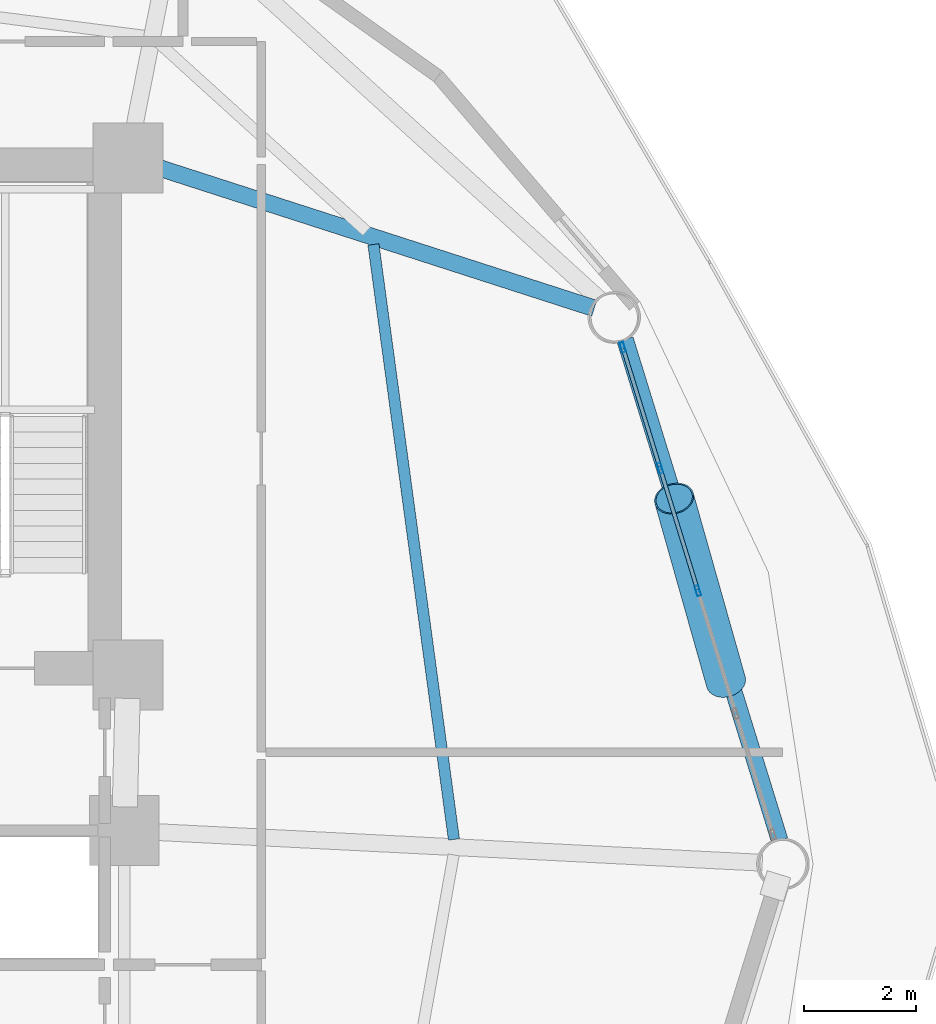
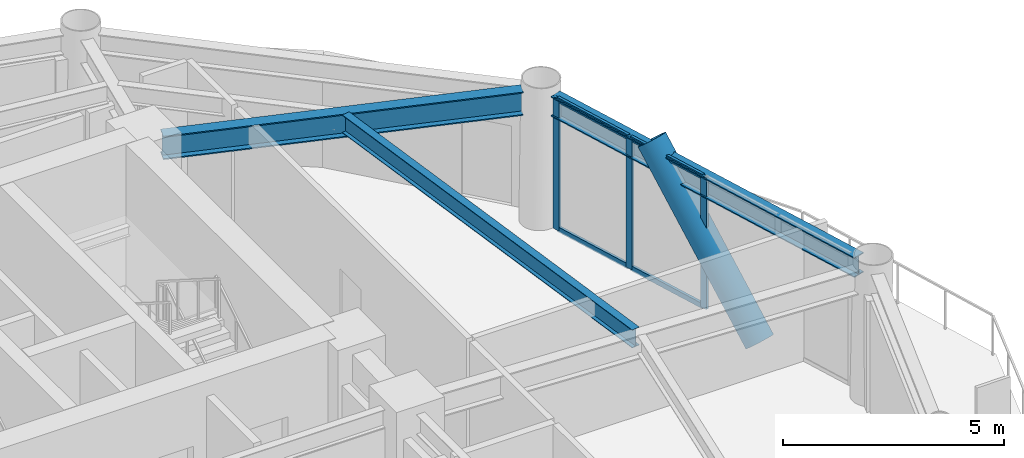
# One storey, part 13 of 22: 8 members, 3 beams, 1 element without a shape of its own.
"""IFC4 building model written with IfcOpenShell, lengths in metres."""

import ifcopenshell
import ifcopenshell.guid

model = None  # the IFC model being written
_history = None  # IfcOwnerHistory: only IFC2X3 demands one
_inside = {}  # id of a spatial element -> (the spatial element, [elements in it])
_under = {}  # id of a project, library or spatial element -> (it, [spatial elements below it])
_declared = {}  # id of a project -> (the project, [libraries it declares])
_typed = {}  # id of a type object -> (the type object, [elements of that type])
_made_of = {}  # id of a material, layer set ... -> (it, [elements and type objects made of it])


def new_model(schema):
    """Start an empty IFC model of exactly this schema.

    Asked for "IFC4X3", IfcOpenShell would pick the latest addendum, in which some entities
    have other attributes; the version numbers below select the first issue.
    IFC2X3 requires an IfcOwnerHistory on every rooted entity: one is made here for all.
    """
    global model, _history
    if schema == "IFC4X3":
        model = ifcopenshell.file(schema_version=(4, 3, 0, 0))
    else:
        model = ifcopenshell.file(schema=schema)
    _inside.clear()
    _under.clear()
    _declared.clear()
    _typed.clear()
    _made_of.clear()
    _history = None
    if model.schema == "IFC2X3":
        org = make("IfcOrganization", Name="unknown")
        user = make(
            "IfcPersonAndOrganization",
            ThePerson=make("IfcPerson", FamilyName="unknown"),
            TheOrganization=org,
        )
        app = make(
            "IfcApplication",
            ApplicationDeveloper=org,
            Version="unknown",
            ApplicationFullName="unknown",
            ApplicationIdentifier="unknown",
        )
        _history = make(
            "IfcOwnerHistory",
            OwningUser=user,
            OwningApplication=app,
            ChangeAction="ADDED",
            CreationDate=0,
        )
    return model


def make(cls, **values):
    """One entity of the class cls with the attributes given. An attribute that is None is left unset."""
    return model.create_entity(
        cls, **{name: value for name, value in values.items() if value is not None}
    )


def rooted(cls, **values):
    """An entity with a GlobalId (a new one), such as an element, a storey or a relation."""
    return make(cls, GlobalId=ifcopenshell.guid.new(), OwnerHistory=_history, **values)


def si_unit(unit_type, name, prefix=None):
    """IfcSIUnit, for example si_unit("LENGTHUNIT", "METRE", prefix="MILLI")."""
    return make("IfcSIUnit", UnitType=unit_type, Prefix=prefix, Name=name)


def assignment(units):
    """IfcUnitAssignment: the units of a project."""
    return None if units is None else make("IfcUnitAssignment", Units=units)


def point(xyz):
    """IfcCartesianPoint."""
    return None if xyz is None else make("IfcCartesianPoint", Coordinates=xyz)


def direction(xyz):
    """IfcDirection."""
    return None if xyz is None else make("IfcDirection", DirectionRatios=xyz)


def frame(location, z_axis=None, x_axis=None):
    """IfcAxis2Placement3D, a coordinate frame: its origin and axes. An axis left out is left unset."""
    return make(
        "IfcAxis2Placement3D",
        Location=point(location),
        Axis=direction(z_axis),
        RefDirection=direction(x_axis),
    )


def frame_2d(location, x_axis=None):
    """IfcAxis2Placement2D, a coordinate frame in the plane: its origin and x axis."""
    return make(
        "IfcAxis2Placement2D", Location=point(location), RefDirection=direction(x_axis)
    )


def origin():
    """The frame at (0, 0, 0) with its axes left unset."""
    return frame((0.0, 0.0, 0.0))


def origin_2d():
    """The frame at (0, 0) in the plane with its x axis left unset."""
    return frame_2d((0.0, 0.0))


def place(relative_to, where):
    """IfcLocalPlacement: puts the frame where relative to a parent placement (None: the world)."""
    return make(
        "IfcLocalPlacement", PlacementRelTo=relative_to, RelativePlacement=where
    )


def context(
    kind, dimensions, precision=None, world=None, true_north=None, identifier=None
):
    """IfcGeometricRepresentationContext, for example the 3D "Model" context."""
    return make(
        "IfcGeometricRepresentationContext",
        ContextIdentifier=identifier,
        ContextType=kind,
        CoordinateSpaceDimension=dimensions,
        Precision=precision,
        WorldCoordinateSystem=world,
        TrueNorth=true_north,
    )


def subcontext(parent, identifier, kind, view, scale=None):
    """IfcGeometricRepresentationSubContext, for example "Body" below "Model"."""
    return make(
        "IfcGeometricRepresentationSubContext",
        ContextIdentifier=identifier,
        ContextType=kind,
        ParentContext=parent,
        TargetScale=scale,
        TargetView=view,
    )


def project(units=None, contexts=None):
    """IfcProject with its units and contexts."""
    return rooted(
        "IfcProject",
        Name="project",
        RepresentationContexts=contexts,
        UnitsInContext=assignment(units),
    )


def spatial(cls, under=None, at=None, **own):
    """A site, building, storey or space (cls), placed at a placement, below another one or the project."""
    s = rooted(cls, ObjectPlacement=at, **own)
    if under is not None:
        _under.setdefault(under.id(), (under, []))[1].append(s)
    return s


def profile(cls, at=None, kind="AREA", **sizes):
    """A parametric profile (cls). Its sizes go by their IFC names, for example OverallWidth=200.0."""
    return make(cls, ProfileType=kind, Position=at, **sizes)


def hollow_rectangle(**sizes):
    """IfcRectangleHollowProfileDef."""
    return profile("IfcRectangleHollowProfileDef", **sizes)


def hollow_circle(**sizes):
    """IfcCircleHollowProfileDef."""
    return profile("IfcCircleHollowProfileDef", **sizes)


def i_section(**sizes):
    """IfcIShapeProfileDef."""
    return profile("IfcIShapeProfileDef", **sizes)


def extrude(swept, where, along, depth):
    """IfcExtrudedAreaSolid: the profile swept, set in the frame where, extruded along a direction by depth."""
    return make(
        "IfcExtrudedAreaSolid",
        SweptArea=swept,
        Position=where,
        ExtrudedDirection=direction(along),
        Depth=depth,
    )


def shape(context_of_items, identifier, shape_type, items):
    """IfcShapeRepresentation: the items that make up one representation, for example the "Body"."""
    return make(
        "IfcShapeRepresentation",
        ContextOfItems=context_of_items,
        RepresentationIdentifier=identifier,
        RepresentationType=shape_type,
        Items=items,
    )


def material(Name=None, Category=None):
    """IfcMaterial."""
    return make("IfcMaterial", Name=Name, Category=Category)


def layer(
    of_material, thickness, ventilated=None, Name=None, Category=None, Priority=None
):
    """IfcMaterialLayer: one layer of a wall or slab, of a material (None: an air gap)."""
    return make(
        "IfcMaterialLayer",
        Material=of_material,
        LayerThickness=thickness,
        IsVentilated=ventilated,
        Name=Name,
        Category=Category,
        Priority=Priority,
    )


def layer_set(layers, Name=None):
    """IfcMaterialLayerSet."""
    return make("IfcMaterialLayerSet", MaterialLayers=layers, LayerSetName=Name)


def material_profile(
    of_material, cross_section, Name=None, Category=None, Priority=None
):
    """IfcMaterialProfile: a cross section and its material."""
    return make(
        "IfcMaterialProfile",
        Name=Name,
        Material=of_material,
        Profile=cross_section,
        Priority=Priority,
        Category=Category,
    )


def profile_set(profiles, Name=None, composite=None):
    """IfcMaterialProfileSet."""
    return make(
        "IfcMaterialProfileSet",
        Name=Name,
        MaterialProfiles=profiles,
        CompositeProfile=composite,
    )


def made_of(thing, what):
    """Note that an element or type object is made of a material, layer set ...; save() writes the relation."""
    if what is not None:
        _made_of.setdefault(what.id(), (what, []))[1].append(thing)
    return thing


def type_object(cls, material=None, **own):
    """A type object (cls), such as IfcWallType, which elements share."""
    return made_of(rooted(cls, **own), material)


def element(
    cls,
    number,
    at=None,
    inside=None,
    cuts=None,
    type_object=None,
    material=None,
    context=None,
    identifier="Body",
    shape_type=None,
    held_by="IfcProductDefinitionShape",
    body=None,
    shapes=None,
    **own,
):
    """One element of the class cls, such as IfcWall. Its Tag is "e" and its number.

    at: its placement. inside: the storey or other place that contains it. cuts: it is an
    opening in that element (IfcRelVoidsElement). A single representation is given by context,
    identifier, shape_type and body (its items); several are given by shapes. held_by: the class
    of the entity that holds the representations. save() writes the other relations.
    """
    e = rooted(cls, Tag="e%d" % number, ObjectPlacement=at, **own)
    if body is not None:
        shapes = [shape(context, identifier, shape_type, body)]
    if shapes is not None:
        e.Representation = make(held_by, Representations=shapes)
    if inside is not None:
        _inside.setdefault(inside.id(), (inside, []))[1].append(e)
    if cuts is not None:
        rooted(
            "IfcRelVoidsElement", RelatingBuildingElement=cuts, RelatedOpeningElement=e
        )
    if type_object is not None:
        _typed.setdefault(type_object.id(), (type_object, []))[1].append(e)
    return made_of(e, material)


def aggregate(whole, parts):
    """IfcRelAggregates: a whole, such as a stair, and the parts it consists of."""
    return rooted("IfcRelAggregates", RelatingObject=whole, RelatedObjects=parts)


def save(model, path):
    """Write the relations noted so far, then the file.

    IfcRelAggregates (storeys below a building ...), IfcRelContainedInSpatialStructure (elements
    in a storey), IfcRelDefinesByType, IfcRelAssociatesMaterial and IfcRelDeclares: one each for
    every whole, place, type object, material and project.
    """
    for whole, parts in _under.values():
        aggregate(whole, parts)
    for where, things in _inside.values():
        rooted(
            "IfcRelContainedInSpatialStructure",
            RelatedElements=things,
            RelatingStructure=where,
        )
    for kind, things in _typed.values():
        rooted("IfcRelDefinesByType", RelatedObjects=things, RelatingType=kind)
    for what, things in _made_of.values():
        rooted("IfcRelAssociatesMaterial", RelatedObjects=things, RelatingMaterial=what)
    for by, libraries in _declared.values():
        rooted("IfcRelDeclares", RelatingContext=by, RelatedDefinitions=libraries)
    model.write(path)


model = new_model("IFC4")

# Units and contexts
model_context = context("Model", 3, precision=1e-05, world=origin(), true_north=direction((0.0, 1.0)))
body_context = subcontext(model_context, "Body", "Model", "MODEL_VIEW")
ifc_project = project(units=[si_unit("LENGTHUNIT", "METRE"), si_unit("AREAUNIT", "SQUARE_METRE"), si_unit("VOLUMEUNIT", "CUBIC_METRE"), si_unit("PLANEANGLEUNIT", "RADIAN"), si_unit("MASSUNIT", "GRAM", prefix="KILO")], contexts=[model_context])

# Site, building, storey
site_placement = place(None, origin())
site = spatial("IfcSite", under=ifc_project, at=site_placement, CompositionType="ELEMENT")
building_placement = place(site_placement, origin())
building = spatial("IfcBuilding", under=site, at=building_placement, Name="Varnakorn Sky Granary", CompositionType="ELEMENT")
storey_placement = place(building_placement, frame((0.0, 0.0, 66.60009765625)))
storey = spatial("IfcBuildingStorey", under=building, at=storey_placement, Name="L16", CompositionType="ELEMENT", Elevation=66.60009765625)

# Beams
ifc_material_1 = material(Name="Steel S355JR", Category="steel")
ifc_material_profile_1 = material_profile(ifc_material_1, i_section(OverallWidth=0.300048828125, OverallDepth=0.64990234375, WebThickness=0.01611328125, FlangeThickness=0.031005859375, at=origin_2d()), Name="HE 650 B")
ifc_profile_set_1 = profile_set([ifc_material_profile_1], Name="Steel S355JR")
beam_type_1 = type_object("IfcBeamType", Name="BM-RAD-Z1", PredefinedType="BEAM", material=ifc_profile_set_1)
beam_1_placement = place(storey_placement, frame((8.819580078125, 12.490966796875, 3.31494140625), z_axis=(0.951703370952, -0.307019044553, 0.0), x_axis=(0.307019044553, 0.951703370952, 0.0)))
element("IfcBeam", 1, at=beam_1_placement, inside=storey, type_object=beam_type_1, Name="Radial Floor Girder RG02 L16", PredefinedType="BEAM", context=body_context, shape_type="SweptSolid", body=[
    extrude(i_section(OverallWidth=0.300048828125, OverallDepth=0.64990234375, WebThickness=0.01611328125, FlangeThickness=0.031005859375, at=origin_2d()), origin(), (0.0, 0.0, 1.0), 8.332763671875),
])
ifc_material_profile_2 = material_profile(ifc_material_1, i_section(OverallWidth=0.199951171875, OverallDepth=0.5, WebThickness=0.01025390625, FlangeThickness=0.01611328125, at=origin_2d()), Name="IPE 500")
ifc_profile_set_2 = profile_set([ifc_material_profile_2], Name="Steel S355JR")
beam_type_2 = type_object("IfcBeamType", Name="BM-SEC-Z1", PredefinedType="BEAM", material=ifc_profile_set_2)
beam_2_placement = place(storey_placement, frame((14.2421875, 0.439208984375, 3.389892578125), z_axis=(-0.134053164695, 0.990974141456, 0.0), x_axis=(-0.990974141456, -0.134053164695, 0.0)))
element("IfcBeam", 2, at=beam_2_placement, inside=storey, type_object=beam_type_2, Name="Secondary Floor Chord Beam MSB01 L16", PredefinedType="BEAM", context=body_context, shape_type="SweptSolid", body=[
    extrude(i_section(OverallWidth=0.199951171875, OverallDepth=0.5, WebThickness=0.01025390625, FlangeThickness=0.01611328125, at=origin_2d()), origin(), (0.0, 0.0, 1.0), 10.730712890625),
])
ifc_material_profile_3 = material_profile(ifc_material_1, i_section(OverallWidth=0.300048828125, OverallDepth=0.550048828125, WebThickness=0.014892578125, FlangeThickness=0.029052734375, at=origin_2d()), Name="HE 550 B")
ifc_profile_set_3 = profile_set([ifc_material_profile_3], Name="Steel S355JR")
beam_type_3 = type_object("IfcBeamType", Name="BM-SPD-Z1", PredefinedType="SPANDREL", material=ifc_profile_set_3)
beam_3_placement = place(storey_placement, frame((20.063720703125, 0.42236328125, 3.364990234375), z_axis=(-0.29490058875, 0.955527939285, 0.0), x_axis=(-0.955527939285, -0.29490058875, 0.0)))
element("IfcBeam", 3, at=beam_3_placement, inside=storey, type_object=beam_type_3, Name="Perimeter Spandrel Ring Beam RB01 L16", PredefinedType="SPANDREL", context=body_context, shape_type="SweptSolid", body=[
    extrude(i_section(OverallWidth=0.300048828125, OverallDepth=0.550048828125, WebThickness=0.014892578125, FlangeThickness=0.029052734375, at=origin_2d()), origin(), (0.0, 0.0, 1.0), 9.369140625),
])

# Curtain wall, members
ifc_material_2 = material(Name="Anodised Bronze Aluminium Alloy 6063-T6", Category="aluminium")
ifc_layer = layer(ifc_material_2, 0.18994140625, Name="Anodised Bronze Aluminium Alloy 6063-T6")
ifc_layer_set = layer_set([ifc_layer], Name="Anodised Bronze Aluminium Alloy 6063-T6")
curtain_wall_type = type_object("IfcCurtainWallType", Name="CW-FRM-1", PredefinedType="USERDEFINED", material=ifc_layer_set)
curtain_wall_placement = place(storey_placement, origin())
curtain_wall = element("IfcCurtainWall", 4, at=curtain_wall_placement, inside=storey, type_object=curtain_wall_type, Name="Unitised Curtain Wall CW3 CW-L16-B01", ObjectType="CURTAIN WALL", PredefinedType="USERDEFINED")
ifc_material_profile_4 = material_profile(ifc_material_2, hollow_rectangle(XDim=0.070068359375, YDim=0.18505859375, WallThickness=0.00390625, at=origin_2d()), Name="ALU MULL 70x185")
ifc_profile_set_4 = profile_set([ifc_material_profile_4], Name="Anodised Bronze Aluminium Alloy 6063-T6")
member_type_1 = type_object("IfcMemberType", Name="CW-FRM-1-MULL", PredefinedType="MULLION", material=ifc_profile_set_4)
member_1_placement = place(storey_placement, frame((17.259765625, 9.236083984375, 0.0), z_axis=(0.0, 0.0, 1.0), x_axis=(0.955563090917, 0.2947866674, 0.0)))
member_1 = element("IfcMember", 5, at=member_1_placement, type_object=member_type_1, Name="CW3 mullion 1", PredefinedType="MULLION", context=body_context, shape_type="SweptSolid", body=[
    extrude(hollow_rectangle(XDim=0.070068359375, YDim=0.18505859375, WallThickness=0.00390625, at=origin_2d()), origin(), (0.0, 0.0, 1.0), 3.639892578125),
])
member_2_placement = place(storey_placement, frame((17.92626953125, 7.07568359375, 0.0), z_axis=(0.0, 0.0, 1.0), x_axis=(0.955563090917, 0.2947866674, 0.0)))
member_2 = element("IfcMember", 6, at=member_2_placement, type_object=member_type_1, Name="CW3 mullion 2", PredefinedType="MULLION", context=body_context, shape_type="SweptSolid", body=[
    extrude(hollow_rectangle(XDim=0.070068359375, YDim=0.18505859375, WallThickness=0.00390625, at=origin_2d()), origin(), (0.0, 0.0, 1.0), 3.639892578125),
])
member_3_placement = place(storey_placement, frame((18.60302734375, 4.8818359375, 0.0), z_axis=(0.0, 0.0, 1.0), x_axis=(0.955563090917, 0.2947866674, 0.0)))
member_3 = element("IfcMember", 7, at=member_3_placement, type_object=member_type_1, Name="CW3 mullion 3", PredefinedType="MULLION", context=body_context, shape_type="SweptSolid", body=[
    extrude(hollow_rectangle(XDim=0.070068359375, YDim=0.18505859375, WallThickness=0.00390625, at=origin_2d()), origin(), (0.0, 0.0, 1.0), 3.639892578125),
])
ifc_material_profile_5 = material_profile(ifc_material_2, hollow_rectangle(XDim=0.070068359375, YDim=0.139892578125, WallThickness=0.00341796875, at=origin_2d()), Name="ALU TRAN 70x140")
ifc_profile_set_5 = profile_set([ifc_material_profile_5], Name="Anodised Bronze Aluminium Alloy 6063-T6")
member_type_2 = type_object("IfcMemberType", Name="CW-FRM-1-TRAN", PredefinedType="USERDEFINED", material=ifc_profile_set_5)
member_4_placement = place(storey_placement, frame((17.27001953125, 9.20263671875, 0.034912109375), z_axis=(0.294751388896, -0.955573973454, 0.0), x_axis=(0.955573973454, 0.294751388896, 0.0)))
member_4 = element("IfcMember", 8, at=member_4_placement, type_object=member_type_2, Name="CW3 transom 1.1", ObjectType="TRANSOM", PredefinedType="USERDEFINED", context=body_context, shape_type="SweptSolid", body=[
    extrude(hollow_rectangle(XDim=0.070068359375, YDim=0.139892578125, WallThickness=0.00341796875, at=origin_2d()), origin(), (0.0, 0.0, 1.0), 2.19091796875),
])
member_5_placement = place(storey_placement, frame((17.27001953125, 9.20263671875, 3.60498046875), z_axis=(0.294751388896, -0.955573973454, 0.0), x_axis=(0.955573973454, 0.294751388896, 0.0)))
member_5 = element("IfcMember", 9, at=member_5_placement, type_object=member_type_2, Name="CW3 transom 1.2", ObjectType="TRANSOM", PredefinedType="USERDEFINED", context=body_context, shape_type="SweptSolid", body=[
    extrude(hollow_rectangle(XDim=0.070068359375, YDim=0.139892578125, WallThickness=0.00341796875, at=origin_2d()), origin(), (0.0, 0.0, 1.0), 2.19091796875),
])
member_6_placement = place(storey_placement, frame((17.9365234375, 7.042236328125, 0.034912109375), z_axis=(0.294825670699, -0.955551057713, 0.0), x_axis=(0.955551057713, 0.294825670699, 0.0)))
member_6 = element("IfcMember", 10, at=member_6_placement, type_object=member_type_2, Name="CW3 transom 2.1", ObjectType="TRANSOM", PredefinedType="USERDEFINED", context=body_context, shape_type="SweptSolid", body=[
    extrude(hollow_rectangle(XDim=0.070068359375, YDim=0.139892578125, WallThickness=0.00341796875, at=origin_2d()), origin(), (0.0, 0.0, 1.0), 2.225830078125),
])
member_7_placement = place(storey_placement, frame((17.9365234375, 7.042236328125, 3.60498046875), z_axis=(0.294825670699, -0.955551057713, 0.0), x_axis=(0.955551057713, 0.294825670699, 0.0)))
member_7 = element("IfcMember", 11, at=member_7_placement, type_object=member_type_2, Name="CW3 transom 2.2", ObjectType="TRANSOM", PredefinedType="USERDEFINED", context=body_context, shape_type="SweptSolid", body=[
    extrude(hollow_rectangle(XDim=0.070068359375, YDim=0.139892578125, WallThickness=0.00341796875, at=origin_2d()), origin(), (0.0, 0.0, 1.0), 2.225830078125),
])
aggregate(curtain_wall, [member_1, member_2, member_3, member_4, member_5, member_6, member_7])

# Member
ifc_material_3 = material(Name="Steel S460M", Category="steel")
ifc_material_profile_6 = material_profile(ifc_material_3, hollow_circle(Radius=0.35546875, WallThickness=0.02490234375, at=origin_2d()), Name="CHS 711x25")
ifc_profile_set_6 = profile_set([ifc_material_profile_6], Name="Steel S460M")
member_type_3 = type_object("IfcMemberType", Name="MB-DIAG-T0", PredefinedType="BRACE", material=ifc_profile_set_6)
member_8_placement = place(storey_placement, frame((19.10498046875, 3.25439453125, -0.130126953125), z_axis=(-0.178433258049, 0.631075412261, 0.754920788203), x_axis=(-0.962275133016, -0.272078239443, 0.0)))
element("IfcMember", 12, at=member_8_placement, inside=storey, type_object=member_type_3, Name="Perimeter CHS Diagrid Brace DG01 L16", PredefinedType="BRACE", context=body_context, shape_type="SweptSolid", body=[
    extrude(hollow_circle(Radius=0.35546875, WallThickness=0.02490234375, at=origin_2d()), origin(), (0.0, 0.0, 1.0), 5.1923828125),
])

save(model, "model.ifc")
